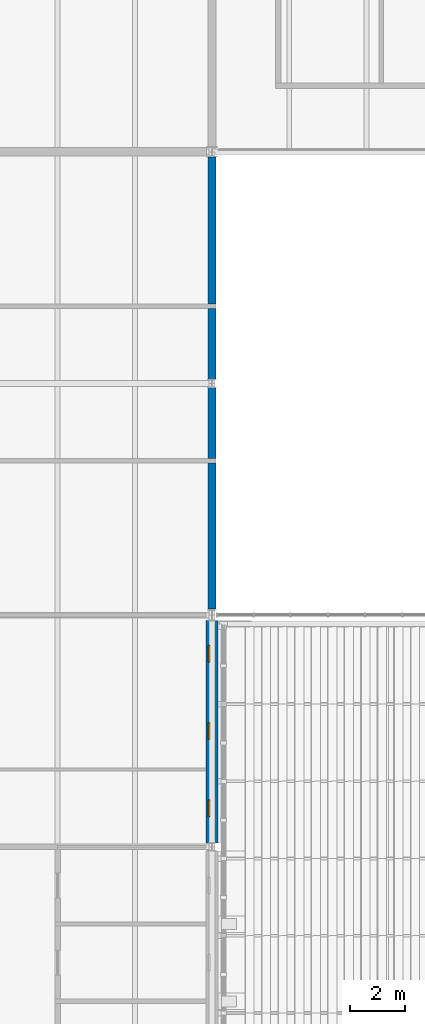
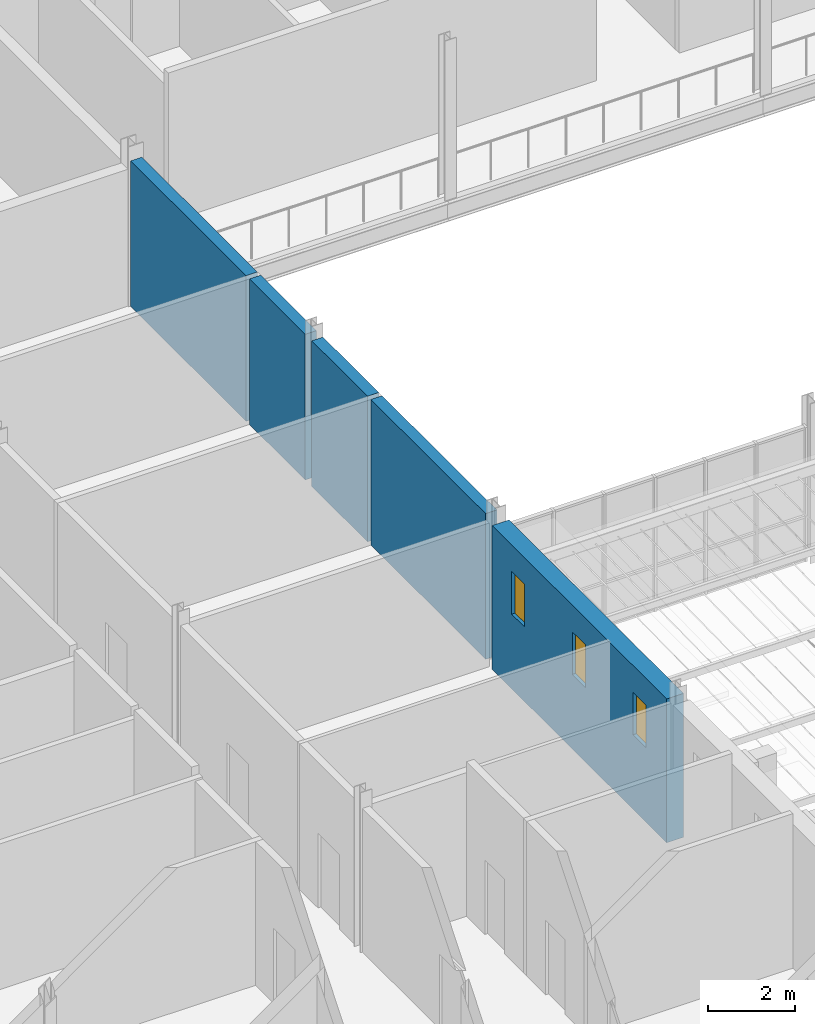
# One storey, part 87 of 129: 5 walls, 3 windows, 3 openings.
"""IFC4 building model written with IfcOpenShell, lengths in metres."""

from ifc_helpers import new_model, si_unit, direction, frame, frame_2d, origin, place, context, subcontext, project, spatial, rectangle, extrude, material, layer, layer_set, type_object, element, fill, save


model = new_model("IFC4")

# Units and contexts
model_context = context("Model", 3, precision=1e-05, world=origin(), true_north=direction((0.0, 1.0)))
body_context = subcontext(model_context, "Body", "Model", "MODEL_VIEW")
ifc_project = project(units=[si_unit("LENGTHUNIT", "METRE"), si_unit("AREAUNIT", "SQUARE_METRE"), si_unit("VOLUMEUNIT", "CUBIC_METRE"), si_unit("PLANEANGLEUNIT", "RADIAN"), si_unit("MASSUNIT", "GRAM", prefix="KILO")], contexts=[model_context])

# Site, building, storey
site_placement = place(None, origin())
site = spatial("IfcSite", under=ifc_project, at=site_placement, CompositionType="ELEMENT")
building_placement = place(site_placement, origin())
building = spatial("IfcBuilding", under=site, at=building_placement, Name="Ardhachandra Cancer Care Centre", CompositionType="ELEMENT")
storey_placement = place(building_placement, frame((0.0, 0.0, 4.5)))
storey = spatial("IfcBuildingStorey", under=building, at=storey_placement, Name="L01", CompositionType="ELEMENT", Elevation=4.5)

# Wall, openings, windows
ifc_material_1 = material(Name="Brick masonry (clay brick, cement mortar) with mineral wool cavity insulation", Category="masonry")
ifc_layer_1 = layer(ifc_material_1, 0.449951171875)
ifc_layer_set_1 = layer_set([ifc_layer_1], Name="Brick masonry (clay brick, cement mortar) with mineral wool cavity insulation")
wall_type_1 = type_object("IfcWallType", Name="Brick wall 450", PredefinedType="SOLIDWALL", material=ifc_layer_set_1)
wall_1_placement = place(storey_placement, frame((44.39990234375, 46.344970703125, 0.0), z_axis=(0.0, 0.0, 1.0), x_axis=(0.0, 1.0, 0.0)))
wall_1 = element("IfcWall", 1, at=wall_1_placement, inside=storey, type_object=wall_type_1, Name="E/wall/L01/e/0044400_0046200", PredefinedType="SOLIDWALL", context=body_context, shape_type="SweptSolid", body=[
    extrude(rectangle(XDim=8.054931640625, YDim=0.449951171875, at=frame_2d((4.02734375, 0.0))), origin(), (0.0, 0.0, 1.0), 4.050048828125),
])
opening_1_placement = place(wall_1_placement, frame((0.955078125, 0.0, 2.10009765625)))
opening_1 = element("IfcOpeningElement", 2, at=opening_1_placement, cuts=wall_1, Name="Opening W4", PredefinedType="OPENING", context=body_context, shape_type="SweptSolid", body=[
    extrude(rectangle(XDim=0.60009765625, YDim=1.199951171875, at=frame_2d((0.300048828125, 0.60009765625))), frame((0.0, 0.23486328125, 0.0), z_axis=(0.0, -1.0, 0.0), x_axis=(1.0, 0.0, 0.0)), (0.0, 0.0, 1.0), 0.469970703125),
])
opening_2_placement = place(wall_1_placement, frame((3.7548828125, 0.0, 2.10009765625)))
opening_2 = element("IfcOpeningElement", 3, at=opening_2_placement, cuts=wall_1, Name="Opening W4", PredefinedType="OPENING", context=body_context, shape_type="SweptSolid", body=[
    extrude(rectangle(XDim=0.60009765625, YDim=1.199951171875, at=frame_2d((0.300048828125, 0.60009765625))), frame((0.0, 0.23486328125, 0.0), z_axis=(0.0, -1.0, 0.0), x_axis=(1.0, 0.0, 0.0)), (0.0, 0.0, 1.0), 0.469970703125),
])
opening_3_placement = place(wall_1_placement, frame((6.554931640625, 0.0, 2.10009765625)))
opening_3 = element("IfcOpeningElement", 4, at=opening_3_placement, cuts=wall_1, Name="Opening W4", PredefinedType="OPENING", context=body_context, shape_type="SweptSolid", body=[
    extrude(rectangle(XDim=0.60009765625, YDim=1.199951171875, at=frame_2d((0.300048828125, 0.60009765625))), frame((0.0, 0.23486328125, 0.0), z_axis=(0.0, -1.0, 0.0), x_axis=(1.0, 0.0, 0.0)), (0.0, 0.0, 1.0), 0.469970703125),
])
ifc_material_2 = material(Name="Aluminium frame with double-glazed unit", Category="aluminium")
window_type = type_object("IfcWindowType", Name="Slot window 600 x 1200", PartitioningType="SINGLE_PANEL", PredefinedType="WINDOW", material=ifc_material_2)
window_1_placement = place(opening_1_placement, origin())
window_1 = element("IfcWindow", 5, at=window_1_placement, inside=storey, type_object=window_type, Name="W4 window L01 e/0044400_0046200 1", OverallHeight=1.199951171875, OverallWidth=0.60009765625, PartitioningType="SINGLE_PANEL", PredefinedType="WINDOW", context=body_context, shape_type="SweptSolid", body=[
    extrude(rectangle(XDim=0.60009765625, YDim=1.199951171875, at=frame_2d((0.300048828125, 0.60009765625))), frame((0.0, 0.135009765625, 0.0), z_axis=(0.0, -1.0, 0.0), x_axis=(1.0, 0.0, 0.0)), (0.0, 0.0, 1.0), 0.06005859375),
])
fill(opening_1, window_1)
window_2_placement = place(opening_2_placement, origin())
window_2 = element("IfcWindow", 6, at=window_2_placement, inside=storey, type_object=window_type, Name="W4 window L01 e/0044400_0046200 2", OverallHeight=1.199951171875, OverallWidth=0.60009765625, PartitioningType="SINGLE_PANEL", PredefinedType="WINDOW", context=body_context, shape_type="SweptSolid", body=[
    extrude(rectangle(XDim=0.60009765625, YDim=1.199951171875, at=frame_2d((0.300048828125, 0.60009765625))), frame((0.0, 0.135009765625, 0.0), z_axis=(0.0, -1.0, 0.0), x_axis=(1.0, 0.0, 0.0)), (0.0, 0.0, 1.0), 0.06005859375),
])
fill(opening_2, window_2)
window_3_placement = place(opening_3_placement, origin())
window_3 = element("IfcWindow", 7, at=window_3_placement, inside=storey, type_object=window_type, Name="W4 window L01 e/0044400_0046200 3", OverallHeight=1.199951171875, OverallWidth=0.60009765625, PartitioningType="SINGLE_PANEL", PredefinedType="WINDOW", context=body_context, shape_type="SweptSolid", body=[
    extrude(rectangle(XDim=0.60009765625, YDim=1.199951171875, at=frame_2d((0.300048828125, 0.60009765625))), frame((0.0, 0.135009765625, 0.0), z_axis=(0.0, -1.0, 0.0), x_axis=(1.0, 0.0, 0.0)), (0.0, 0.0, 1.0), 0.06005859375),
])
fill(opening_3, window_3)

# Walls
ifc_material_3 = material(Name="Brick masonry", Category="masonry")
ifc_layer_2 = layer(ifc_material_3, 0.300048828125)
ifc_layer_set_2 = layer_set([ifc_layer_2], Name="Brick masonry")
wall_type_2 = type_object("IfcWallType", Name="HALL WALL 300", PredefinedType="SOLIDWALL", material=ifc_layer_set_2)
wall_2_placement = place(storey_placement, frame((44.39990234375, 54.824951171875, 0.0), z_axis=(0.0, 0.0, 1.0), x_axis=(0.0, 1.0, 0.0)))
element("IfcWall", 8, at=wall_2_placement, inside=storey, type_object=wall_type_2, Name="R/wall/L01/v0044400_0054825", PredefinedType="SOLIDWALL", context=body_context, shape_type="SweptSolid", body=[
    extrude(rectangle(XDim=5.300048828125, YDim=0.300048828125, at=frame_2d((2.64990234375, 0.0))), origin(), (0.0, 0.0, 1.0), 4.10009765625),
])
for number, where, z_axis, x_axis, name in (
    (9, (44.39990234375, 60.27490234375, 0.0), (0.0, 0.0, 1.0), (0.0, 1.0, 0.0), "R/wall/L01/v0044400_0060275"),
    (10, (44.39990234375, 63.14990234375, 0.0), (0.0, 0.0, 1.0), (0.0, 1.0, 0.0), "R/wall/L01/v0044400_0063150"),
):
    element("IfcWall", number, at=place(storey_placement, frame(where, z_axis=z_axis, x_axis=x_axis)), inside=storey, type_object=wall_type_2, Name=name, PredefinedType="SOLIDWALL", context=body_context, shape_type="SweptSolid", body=[
        extrude(rectangle(XDim=2.5751953125, YDim=0.300048828125, at=frame_2d((1.28759765625, 0.0))), origin(), (0.0, 0.0, 1.0), 4.10009765625),
    ])
wall_3_placement = place(storey_placement, frame((44.39990234375, 65.875, 0.0), z_axis=(0.0, 0.0, 1.0), x_axis=(0.0, 1.0, 0.0)))
element("IfcWall", 11, at=wall_3_placement, inside=storey, type_object=wall_type_2, Name="R/wall/L01/v0044400_0065875", PredefinedType="SOLIDWALL", context=body_context, shape_type="SweptSolid", body=[
    extrude(rectangle(XDim=5.32958984375, YDim=0.300048828125, at=frame_2d((2.664794921875, 0.0))), origin(), (0.0, 0.0, 1.0), 4.10009765625),
])

save(model, "model.ifc")
